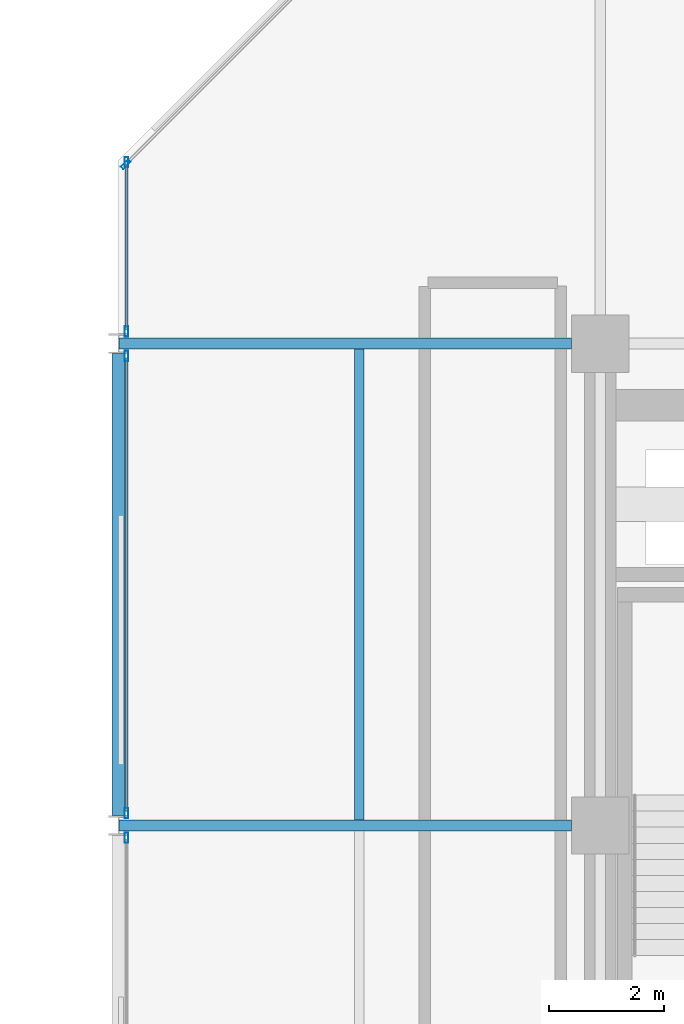
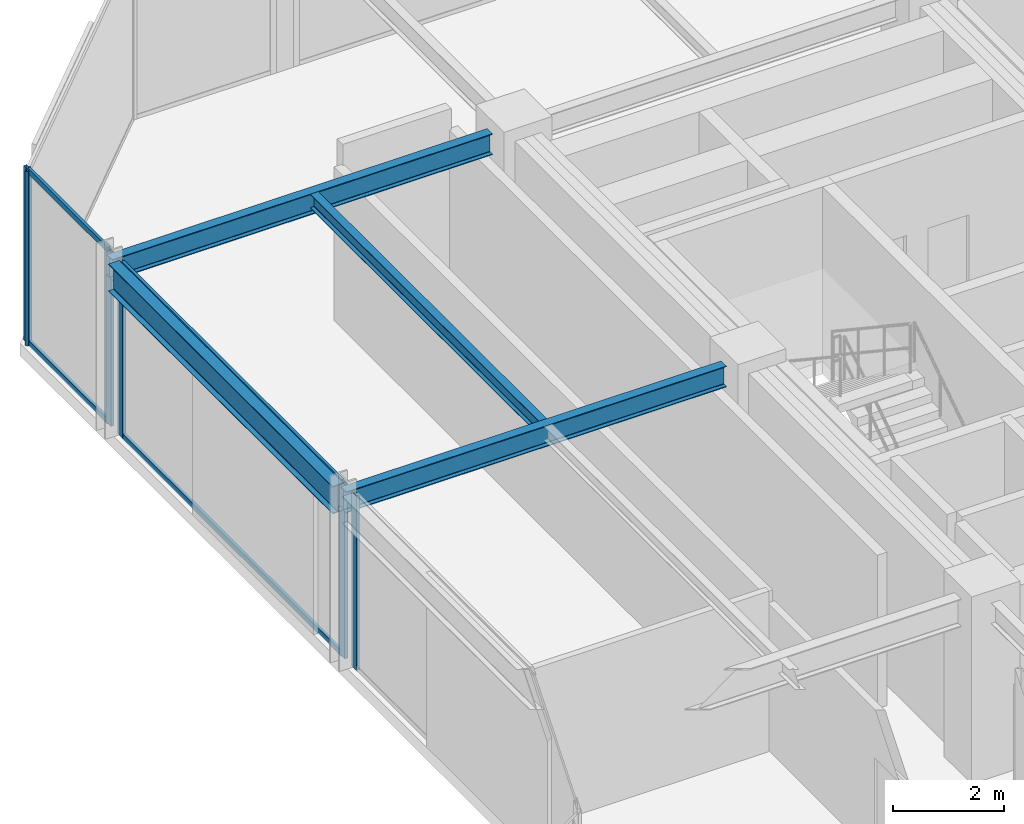
# One storey, part 17 of 29: 10 members, 4 beams, 4 elements without a shape of their own.
"""IFC4 building model written with IfcOpenShell, lengths in metres."""

from ifc_helpers import new_model, si_unit, direction, frame, origin, origin_2d, place, context, subcontext, project, spatial, hollow_rectangle, i_section, extrude, material, layer, layer_set, material_profile, profile_set, type_object, element, aggregate, save


model = new_model("IFC4")

# Units and contexts
model_context = context("Model", 3, precision=1e-05, world=origin(), true_north=direction((0.0, 1.0)))
body_context = subcontext(model_context, "Body", "Model", "MODEL_VIEW")
ifc_project = project(units=[si_unit("LENGTHUNIT", "METRE"), si_unit("AREAUNIT", "SQUARE_METRE"), si_unit("VOLUMEUNIT", "CUBIC_METRE"), si_unit("PLANEANGLEUNIT", "RADIAN"), si_unit("MASSUNIT", "GRAM", prefix="KILO")], contexts=[model_context])

# Site, building, storey
site_placement = place(None, origin())
site = spatial("IfcSite", under=ifc_project, at=site_placement, CompositionType="ELEMENT")
building_placement = place(site_placement, origin())
building = spatial("IfcBuilding", under=site, at=building_placement, Name="Nerrivon Quay Data Exchange", CompositionType="ELEMENT")
storey_placement = place(building_placement, frame((0.0, 0.0, 208.300048828125)))
storey = spatial("IfcBuildingStorey", under=building, at=storey_placement, Name="L49", CompositionType="ELEMENT", Elevation=208.300048828125)

# Beams
ifc_material_1 = material(Name="Steel Grade 350", Category="steel")
ifc_material_profile_1 = material_profile(ifc_material_1, i_section(OverallWidth=0.22802734375, OverallDepth=0.60205078125, WebThickness=0.010498046875, FlangeThickness=0.014892578125, FilletRadius=0.013916015625, at=origin_2d()), Name="610UB101")
ifc_profile_set_1 = profile_set([ifc_material_profile_1], Name="Steel Grade 350")
beam_type_1 = type_object("IfcBeamType", Name="BM-G2-610UB101", PredefinedType="BEAM", material=ifc_profile_set_1)
beam_1_placement = place(storey_placement, frame((0.0, 33.77490234375, 3.52392578125), z_axis=(0.0, 1.0, 0.0), x_axis=(-1.0, 0.0, 0.0)))
element("IfcBeam", 1, at=beam_1_placement, inside=storey, type_object=beam_type_1, Name="L49 NS Girder X=0.0 (33.6..42.0)", PredefinedType="BEAM", context=body_context, shape_type="SweptSolid", body=[
    extrude(i_section(OverallWidth=0.22802734375, OverallDepth=0.60205078125, WebThickness=0.010498046875, FlangeThickness=0.014892578125, FilletRadius=0.013916015625, at=origin_2d()), origin(), (0.0, 0.0, 1.0), 8.050048828125),
])
ifc_material_profile_2 = material_profile(ifc_material_1, i_section(OverallWidth=0.19091796875, OverallDepth=0.4599609375, WebThickness=0.010009765625, FlangeThickness=0.01611328125, FilletRadius=0.011474609375, at=origin_2d()), Name="460UB82.1")
ifc_profile_set_2 = profile_set([ifc_material_profile_2], Name="Steel Grade 350")
beam_type_2 = type_object("IfcBeamType", Name="BM-G5-460UB82", PredefinedType="BEAM", material=ifc_profile_set_2)
for number, where, z_axis, x_axis, name in (
    (2, (0.010009765625, 33.60009765625, 3.594970703125), (1.0, 0.0, 0.0), (0.0, 1.0, 0.0), "L49 EW Girder Y=33.6 (0.0..8.4)"),
    (3, (0.010009765625, 42.0, 3.594970703125), (1.0, 0.0, 0.0), (0.0, 1.0, 0.0), "L49 EW Girder Y=42.0 (0.0..8.4)"),
):
    element("IfcBeam", number, at=place(storey_placement, frame(where, z_axis=z_axis, x_axis=x_axis)), inside=storey, type_object=beam_type_2, Name=name, PredefinedType="BEAM", context=body_context, shape_type="SweptSolid", body=[
        extrude(i_section(OverallWidth=0.19091796875, OverallDepth=0.4599609375, WebThickness=0.010009765625, FlangeThickness=0.01611328125, FilletRadius=0.011474609375, at=origin_2d()), origin(), (0.0, 0.0, 1.0), 7.889892578125),
    ])
ifc_material_profile_3 = material_profile(ifc_material_1, i_section(OverallWidth=0.166015625, OverallDepth=0.306884765625, WebThickness=0.006591796875, FlangeThickness=0.01171875, FilletRadius=0.011474609375, at=origin_2d()), Name="310UB46.2")
ifc_profile_set_3 = profile_set([ifc_material_profile_3], Name="Steel Grade 350")
beam_type_3 = type_object("IfcBeamType", Name="BM-J5-310UB46", PredefinedType="JOIST", material=ifc_profile_set_3)
beam_2_placement = place(storey_placement, frame((4.199951171875, 33.695556640625, 3.67138671875), z_axis=(0.0, 1.0, 0.0), x_axis=(-1.0, 0.0, 0.0)))
element("IfcBeam", 4, at=beam_2_placement, inside=storey, type_object=beam_type_3, Name="L49 Secondary Joist X=4.2 (33.6..42.0)", PredefinedType="JOIST", context=body_context, shape_type="SweptSolid", body=[
    extrude(i_section(OverallWidth=0.166015625, OverallDepth=0.306884765625, WebThickness=0.006591796875, FlangeThickness=0.01171875, FilletRadius=0.011474609375, at=origin_2d()), origin(), (0.0, 0.0, 1.0), 8.208984375),
])

# Curtain wall, member
ifc_material_2 = material(Name="Anodised aluminium 6063-T6", Category="aluminium")
ifc_layer = layer(ifc_material_2, 0.195068359375)
ifc_layer_set = layer_set([ifc_layer], Name="Anodised aluminium 6063-T6")
curtain_wall_type = type_object("IfcCurtainWallType", Name="CW-SYS-06", PredefinedType="NOTDEFINED", material=ifc_layer_set)
curtain_wall_1_placement = place(storey_placement, origin())
curtain_wall_1 = element("IfcCurtainWall", 5, at=curtain_wall_1_placement, inside=storey, type_object=curtain_wall_type, Name="L49 Unitised Curtain Wall 4", PredefinedType="NOTDEFINED")
ifc_material_profile_4 = material_profile(ifc_material_2, hollow_rectangle(XDim=0.06494140625, YDim=0.179931640625, WallThickness=0.00341796875, at=origin_2d()), Name="ALU-MULL-180x65")
ifc_profile_set_4 = profile_set([ifc_material_profile_4], Name="Anodised aluminium 6063-T6")
member_type_1 = type_object("IfcMemberType", Name="CWM-180x65", PredefinedType="MULLION", material=ifc_profile_set_4)
member_1_placement = place(storey_placement, frame((0.139892578125, 33.387451171875, 0.0), z_axis=(0.0, 0.0, 1.0), x_axis=(-1.0, 0.0, 0.0)))
member_1 = element("IfcMember", 6, at=member_1_placement, type_object=member_type_1, Name="CW06 mullion 2", PredefinedType="MULLION", context=body_context, shape_type="SweptSolid", body=[
    extrude(hollow_rectangle(XDim=0.06494140625, YDim=0.179931640625, WallThickness=0.00341796875, at=origin_2d()), origin(), (0.0, 0.0, 1.0), 3.824951171875),
])
aggregate(curtain_wall_1, [member_1])

# Curtain wall, members
curtain_wall_2_placement = place(storey_placement, origin())
curtain_wall_2 = element("IfcCurtainWall", 7, at=curtain_wall_2_placement, inside=storey, type_object=curtain_wall_type, Name="L49 Unitised Curtain Wall 5", PredefinedType="NOTDEFINED")
member_2_placement = place(storey_placement, frame((0.139892578125, 33.8125, 0.0), z_axis=(0.0, 0.0, 1.0), x_axis=(-1.0, 0.0, 0.0)))
member_2 = element("IfcMember", 8, at=member_2_placement, type_object=member_type_1, Name="CW06 mullion 1", PredefinedType="MULLION", context=body_context, shape_type="SweptSolid", body=[
    extrude(hollow_rectangle(XDim=0.06494140625, YDim=0.179931640625, WallThickness=0.00341796875, at=origin_2d()), origin(), (0.0, 0.0, 1.0), 3.824951171875),
])
member_3_placement = place(storey_placement, frame((0.139892578125, 41.78759765625, 0.0), z_axis=(0.0, 0.0, 1.0), x_axis=(-1.0, 0.0, 0.0)))
member_3 = element("IfcMember", 9, at=member_3_placement, type_object=member_type_1, Name="CW06 mullion 2", PredefinedType="MULLION", context=body_context, shape_type="SweptSolid", body=[
    extrude(hollow_rectangle(XDim=0.06494140625, YDim=0.179931640625, WallThickness=0.00341796875, at=origin_2d()), origin(), (0.0, 0.0, 1.0), 3.824951171875),
])

curtain_wall_3_placement = place(storey_placement, origin())
curtain_wall_3 = element("IfcCurtainWall", 10, at=curtain_wall_3_placement, inside=storey, type_object=curtain_wall_type, Name="L49 Unitised Curtain Wall 6", PredefinedType="NOTDEFINED")
member_4_placement = place(storey_placement, frame((0.139892578125, 42.21240234375, 0.0), z_axis=(0.0, 0.0, 1.0), x_axis=(-1.0, 0.0, 0.0)))
member_4 = element("IfcMember", 11, at=member_4_placement, type_object=member_type_1, Name="CW06 mullion 1", PredefinedType="MULLION", context=body_context, shape_type="SweptSolid", body=[
    extrude(hollow_rectangle(XDim=0.06494140625, YDim=0.179931640625, WallThickness=0.00341796875, at=origin_2d()), origin(), (0.0, 0.0, 1.0), 3.824951171875),
])
member_5_placement = place(storey_placement, frame((0.139892578125, 45.16259765625, 0.0), z_axis=(0.0, 0.0, 1.0), x_axis=(-1.0, 0.0, 0.0)))
member_5 = element("IfcMember", 12, at=member_5_placement, type_object=member_type_1, Name="CW06 mullion 2", PredefinedType="MULLION", context=body_context, shape_type="SweptSolid", body=[
    extrude(hollow_rectangle(XDim=0.06494140625, YDim=0.179931640625, WallThickness=0.00341796875, at=origin_2d()), origin(), (0.0, 0.0, 1.0), 3.824951171875),
])

# Curtain wall, member
curtain_wall_4_placement = place(storey_placement, origin())
curtain_wall_4 = element("IfcCurtainWall", 13, at=curtain_wall_4_placement, inside=storey, type_object=curtain_wall_type, Name="L49 Unitised Curtain Wall 7", PredefinedType="NOTDEFINED")
member_6_placement = place(storey_placement, frame((0.12548828125, 45.12744140625, 0.0), z_axis=(0.0, 0.0, 1.0), x_axis=(-0.707106781187, 0.707106781187, 0.0)))
member_6 = element("IfcMember", 14, at=member_6_placement, type_object=member_type_1, Name="CW06 mullion 1", PredefinedType="MULLION", context=body_context, shape_type="SweptSolid", body=[
    extrude(hollow_rectangle(XDim=0.06494140625, YDim=0.179931640625, WallThickness=0.00341796875, at=origin_2d()), origin(), (0.0, 0.0, 1.0), 3.824951171875),
])
aggregate(curtain_wall_4, [member_6])

# Member
ifc_material_profile_5 = material_profile(ifc_material_2, hollow_rectangle(XDim=0.06005859375, YDim=0.1201171875, WallThickness=0.003173828125, at=origin_2d()), Name="ALU-TRAN-120x60")
ifc_profile_set_5 = profile_set([ifc_material_profile_5], Name="Anodised aluminium 6063-T6")
member_type_2 = type_object("IfcMemberType", Name="CWT-120x60", PredefinedType="USERDEFINED", material=ifc_profile_set_5)
member_7_placement = place(storey_placement, frame((0.139892578125, 33.85009765625, 0.032470703125), z_axis=(0.0, 1.0, 0.0), x_axis=(-1.0, 0.0, 0.0)))
member_7 = element("IfcMember", 15, at=member_7_placement, type_object=member_type_2, Name="CW06 transom 1.1", ObjectType="TRANSOM", PredefinedType="USERDEFINED", context=body_context, shape_type="SweptSolid", body=[
    extrude(hollow_rectangle(XDim=0.06005859375, YDim=0.1201171875, WallThickness=0.003173828125, at=origin_2d()), origin(), (0.0, 0.0, 1.0), 7.89990234375),
])

member_8_placement = place(storey_placement, frame((0.139892578125, 33.85009765625, 3.79248046875), z_axis=(0.0, 1.0, 0.0), x_axis=(-1.0, 0.0, 0.0)))
member_8 = element("IfcMember", 16, at=member_8_placement, type_object=member_type_2, Name="CW06 transom 1.2", ObjectType="TRANSOM", PredefinedType="USERDEFINED", context=body_context, shape_type="SweptSolid", body=[
    extrude(hollow_rectangle(XDim=0.06005859375, YDim=0.1201171875, WallThickness=0.003173828125, at=origin_2d()), origin(), (0.0, 0.0, 1.0), 7.89990234375),
])

aggregate(curtain_wall_2, [member_2, member_3, member_7, member_8])

member_9_placement = place(storey_placement, frame((0.139892578125, 42.25, 0.032470703125), z_axis=(0.0, 1.0, 0.0), x_axis=(-1.0, 0.0, 0.0)))
member_9 = element("IfcMember", 17, at=member_9_placement, type_object=member_type_2, Name="CW06 transom 1.1", ObjectType="TRANSOM", PredefinedType="USERDEFINED", context=body_context, shape_type="SweptSolid", body=[
    extrude(hollow_rectangle(XDim=0.06005859375, YDim=0.1201171875, WallThickness=0.003173828125, at=origin_2d()), origin(), (0.0, 0.0, 1.0), 2.875),
])

member_10_placement = place(storey_placement, frame((0.139892578125, 42.25, 3.79248046875), z_axis=(0.0, 1.0, 0.0), x_axis=(-1.0, 0.0, 0.0)))
member_10 = element("IfcMember", 18, at=member_10_placement, type_object=member_type_2, Name="CW06 transom 1.2", ObjectType="TRANSOM", PredefinedType="USERDEFINED", context=body_context, shape_type="SweptSolid", body=[
    extrude(hollow_rectangle(XDim=0.06005859375, YDim=0.1201171875, WallThickness=0.003173828125, at=origin_2d()), origin(), (0.0, 0.0, 1.0), 2.875),
])

aggregate(curtain_wall_3, [member_4, member_5, member_9, member_10])

save(model, "model.ifc")
